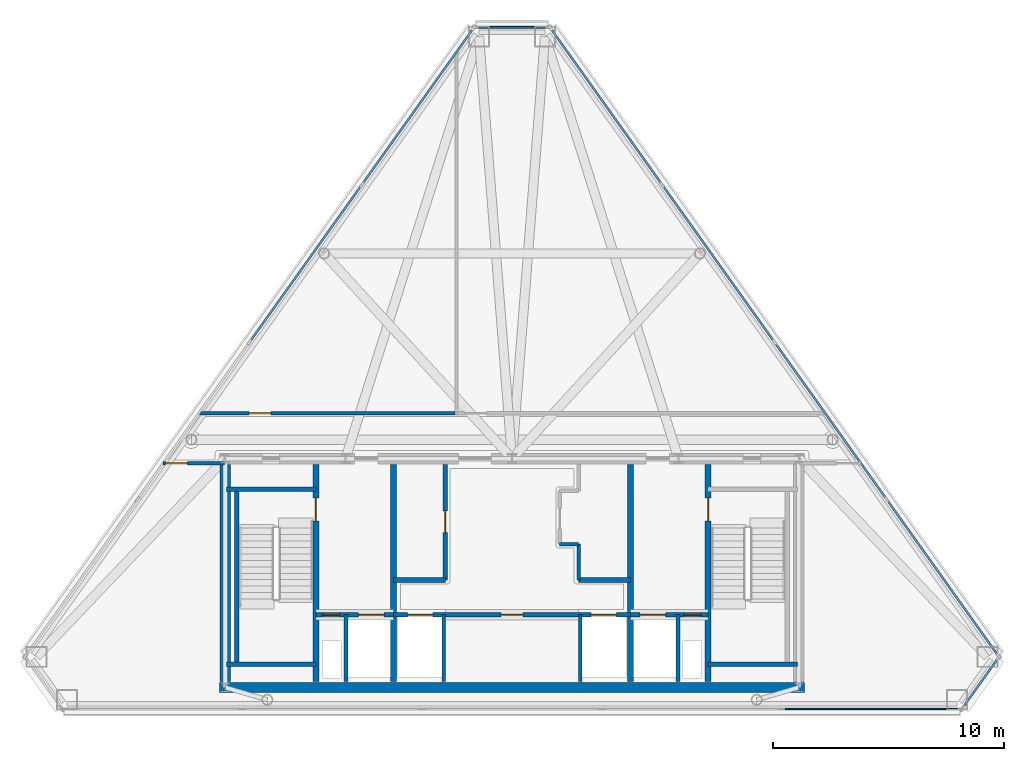
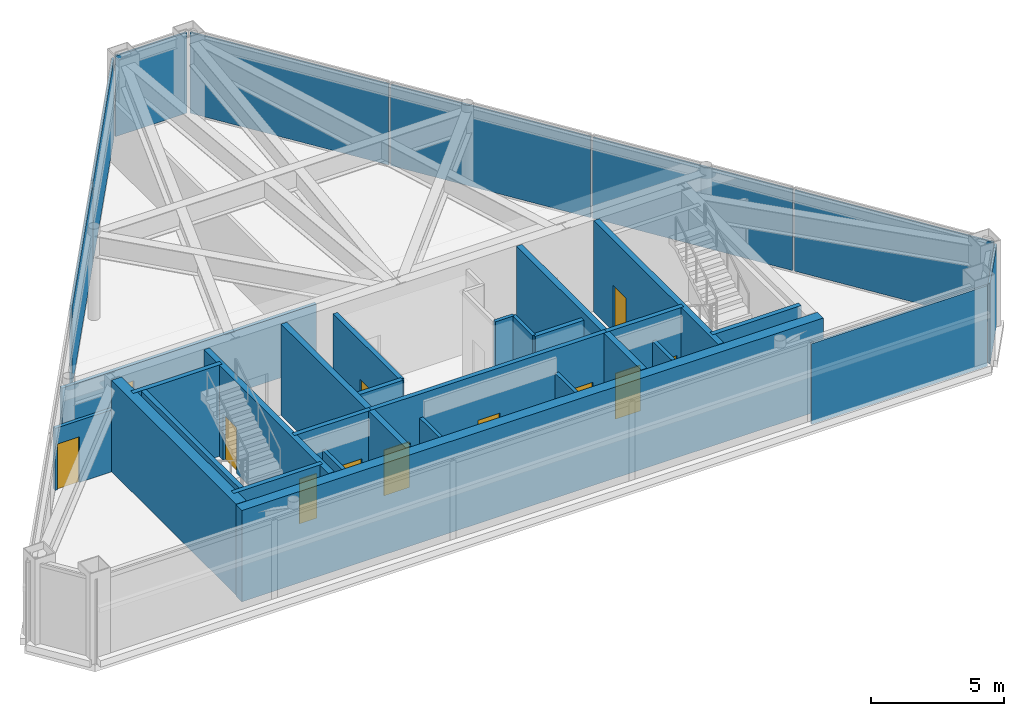
# One storey, part 3 of 5: 24 walls, 12 doors, 9 plates, 12 openings, 5 elements without a shape of their own.
"""IFC4 building model written with IfcOpenShell, lengths in metres."""

from ifc_helpers import new_model, si_unit, direction, frame, frame_2d, origin, origin_2d, place, context, subcontext, project, spatial, rectangle, extrude, source, transform, mapped, material, layer, layer_set, type_object, type_shapes, element, fill, aggregate, save


model = new_model("IFC4")

# Units and contexts
model_context = context("Model", 3, precision=1e-05, world=origin(), true_north=direction((0.0, 1.0)))
body_context = subcontext(model_context, "Body", "Model", "MODEL_VIEW")
ifc_project = project(units=[si_unit("LENGTHUNIT", "METRE"), si_unit("AREAUNIT", "SQUARE_METRE"), si_unit("VOLUMEUNIT", "CUBIC_METRE"), si_unit("PLANEANGLEUNIT", "RADIAN"), si_unit("MASSUNIT", "GRAM", prefix="KILO")], contexts=[model_context])

# Site, building, storey
site_placement = place(None, origin())
site = spatial("IfcSite", under=ifc_project, at=site_placement, CompositionType="ELEMENT")
building_placement = place(site_placement, origin())
building = spatial("IfcBuilding", under=site, at=building_placement, Name="Talgorran Terracotta Tower", CompositionType="ELEMENT")
storey_placement = place(building_placement, frame((0.0, 0.0, 297.60009765625)))
storey = spatial("IfcBuildingStorey", under=building, at=storey_placement, Name="L78", CompositionType="ELEMENT", Elevation=297.60009765625)

# Curtain wall, plate
ifc_material_1 = material(Name="Anodised Aluminium Louvre", Category="aluminium")
ifc_layer_1 = layer(ifc_material_1, 0.25, Name="CW_SYS4_LOUVRE")
ifc_layer_set_1 = layer_set([ifc_layer_1], Name="Anodised Aluminium Louvre")
curtain_wall_type = type_object("IfcCurtainWallType", Name="CW_SYS4_LOUVRE", PredefinedType="NOTDEFINED", material=ifc_layer_set_1)
curtain_wall_1_placement = place(storey_placement, origin())
curtain_wall_1 = element("IfcCurtainWall", 1, at=curtain_wall_1_placement, inside=storey, type_object=curtain_wall_type, Name="CW-L78-F2", PredefinedType="NOTDEFINED")
ifc_material_2 = material(Name="Anodised Aluminium Louvre Panel", Category="aluminium")
ifc_layer_2 = layer(ifc_material_2, 0.0849609375, Name="PLT_LOUVRE_BLADE")
ifc_layer_set_2 = layer_set([ifc_layer_2], Name="Anodised Aluminium Louvre Panel")
plate_type = type_object("IfcPlateType", Name="PLT_LOUVRE_BLADE", PredefinedType="CURTAIN_PANEL", material=ifc_layer_set_2)
shared_shape_1 = source(origin(), body_context, "Body", "SweptSolid", [
    extrude(rectangle(XDim=2.6005859375, YDim=0.0849609375, at=origin_2d()), origin(), (0.0, 0.0, 1.0), 3.7099609375),
])
plate_1_placement = place(storey_placement, frame((20.25341796875, -13.90234375, 0.0849609375), z_axis=(0.0, 0.0, 1.0), x_axis=(0.580760085543, 0.814074765018, 0.0)))
plate_1 = element("IfcPlate", 2, at=plate_1_placement, type_object=plate_type, Name="CW-L78-2 panel 1.1", PredefinedType="CURTAIN_PANEL", context=body_context, shape_type="MappedRepresentation", body=[
    mapped(shared_shape_1, transform((0.0, 0.0, 0.0), scale=1.0)),
])
aggregate(curtain_wall_1, [plate_1])

curtain_wall_2_placement = place(storey_placement, origin())
curtain_wall_2 = element("IfcCurtainWall", 3, at=curtain_wall_2_placement, inside=storey, type_object=curtain_wall_type, Name="CW-L78-F1", PredefinedType="NOTDEFINED")
shared_shape_2 = source(origin(), body_context, "Body", "SweptSolid", [
    extrude(rectangle(XDim=7.652099609375, YDim=0.0849609375, at=origin_2d()), origin(), (0.0, 0.0, 1.0), 3.7099609375),
])
plate_2_placement = place(storey_placement, frame((15.537841796875, -15.030029296875, 0.0849609375), z_axis=(0.0, 0.0, 1.0), x_axis=(1.0, 0.0, 0.0)))
plate_2 = element("IfcPlate", 4, at=plate_2_placement, type_object=plate_type, Name="CW-L78-1 panel 5.1", PredefinedType="CURTAIN_PANEL", context=body_context, shape_type="MappedRepresentation", body=[
    mapped(shared_shape_2, transform((0.0, 0.0, 0.0), scale=1.0)),
])
aggregate(curtain_wall_2, [plate_2])

# Curtain wall, plates
curtain_wall_3_placement = place(storey_placement, origin())
curtain_wall_3 = element("IfcCurtainWall", 5, at=curtain_wall_3_placement, inside=storey, type_object=curtain_wall_type, Name="CW-L78-F3", PredefinedType="NOTDEFINED")
shared_shape_3 = source(origin(), body_context, "Body", "SweptSolid", [
    extrude(rectangle(XDim=8.234375, YDim=0.0849609375, at=origin_2d()), origin(), (0.0, 0.0, 1.0), 3.7099609375),
])
plate_3_placement = place(storey_placement, frame((18.617431640625, -9.353759765625, 0.0849609375), z_axis=(0.0, 0.0, 1.0), x_axis=(-0.580758445224, 0.814075935218, 0.0)))
plate_3 = element("IfcPlate", 6, at=plate_3_placement, type_object=plate_type, Name="CW-L78-3 panel 1.1", PredefinedType="CURTAIN_PANEL", context=body_context, shape_type="MappedRepresentation", body=[
    mapped(shared_shape_3, transform((0.0, 0.0, 0.0), scale=1.0)),
])
plate_4_placement = place(storey_placement, frame((4.0732421875, 11.03369140625, 0.0849609375), z_axis=(0.0, 0.0, 1.0), x_axis=(-0.580758445224, 0.814075935218, 0.0)))
plate_4 = element("IfcPlate", 7, at=plate_4_placement, type_object=plate_type, Name="CW-L78-3 panel 4.1", PredefinedType="CURTAIN_PANEL", context=body_context, shape_type="MappedRepresentation", body=[
    mapped(shared_shape_3, transform((0.0, 0.0, 0.0), scale=1.0)),
])

# Curtain wall, plate
curtain_wall_4_placement = place(storey_placement, origin())
curtain_wall_4 = element("IfcCurtainWall", 8, at=curtain_wall_4_placement, inside=storey, type_object=curtain_wall_type, Name="CW-L78-F5", PredefinedType="NOTDEFINED")
plate_5_placement = place(storey_placement, frame((-4.0732421875, 11.03369140625, 0.0849609375), z_axis=(0.0, 0.0, 1.0), x_axis=(-0.580758445224, -0.814075935218, 0.0)))
plate_5 = element("IfcPlate", 9, at=plate_5_placement, type_object=plate_type, Name="CW-L78-5 panel 1.1", PredefinedType="CURTAIN_PANEL", context=body_context, shape_type="MappedRepresentation", body=[
    mapped(shared_shape_3, transform((0.0, 0.0, 0.0), scale=1.0)),
])

# Plate
shared_shape_4 = source(origin(), body_context, "Body", "SweptSolid", [
    extrude(rectangle(XDim=8.277099609375, YDim=0.0849609375, at=origin_2d()), origin(), (0.0, 0.0, 1.0), 3.7099609375),
])
plate_6_placement = place(storey_placement, frame((13.7734375, -2.563720703125, 0.0849609375), z_axis=(0.0, 0.0, 1.0), x_axis=(-0.580758445224, 0.814075935218, 0.0)))
plate_6 = element("IfcPlate", 10, at=plate_6_placement, type_object=plate_type, Name="CW-L78-3 panel 2.1", PredefinedType="CURTAIN_PANEL", context=body_context, shape_type="MappedRepresentation", body=[
    mapped(shared_shape_4, transform((0.0, 0.0, 0.0), scale=1.0)),
])

plate_7_placement = place(storey_placement, frame((8.917236328125, 4.24365234375, 0.0849609375), z_axis=(0.0, 0.0, 1.0), x_axis=(-0.580758445224, 0.814075935218, 0.0)))
plate_7 = element("IfcPlate", 11, at=plate_7_placement, type_object=plate_type, Name="CW-L78-3 panel 3.1", PredefinedType="CURTAIN_PANEL", context=body_context, shape_type="MappedRepresentation", body=[
    mapped(shared_shape_4, transform((0.0, 0.0, 0.0), scale=1.0)),
])

aggregate(curtain_wall_3, [plate_3, plate_6, plate_7, plate_4])

plate_8_placement = place(storey_placement, frame((-8.917236328125, 4.24365234375, 0.0849609375), z_axis=(0.0, 0.0, 1.0), x_axis=(-0.580758445224, -0.814075935218, 0.0)))
plate_8 = element("IfcPlate", 12, at=plate_8_placement, type_object=plate_type, Name="CW-L78-5 panel 2.1", PredefinedType="CURTAIN_PANEL", context=body_context, shape_type="MappedRepresentation", body=[
    mapped(shared_shape_4, transform((0.0, 0.0, 0.0), scale=1.0)),
])

aggregate(curtain_wall_4, [plate_5, plate_8])

# Curtain wall, plate
curtain_wall_5_placement = place(storey_placement, origin())
curtain_wall_5 = element("IfcCurtainWall", 13, at=curtain_wall_5_placement, inside=storey, type_object=curtain_wall_type, Name="CW-L78-F4", PredefinedType="NOTDEFINED")
shared_shape_5 = source(origin(), body_context, "Body", "SweptSolid", [
    extrude(rectangle(XDim=3.095703125, YDim=0.0849609375, at=origin_2d()), origin(), (0.0, 0.0, 1.0), 3.7099609375),
])
type_shapes(plate_type, [shared_shape_1, shared_shape_2, shared_shape_3, shared_shape_4, shared_shape_5])
plate_9_placement = place(storey_placement, frame((0.0, 14.45458984375, 0.0849609375), z_axis=(0.0, 0.0, 1.0), x_axis=(-1.0, 0.0, 0.0)))
plate_9 = element("IfcPlate", 14, at=plate_9_placement, type_object=plate_type, Name="CW-L78-4 panel 1.1", PredefinedType="CURTAIN_PANEL", context=body_context, shape_type="MappedRepresentation", body=[
    mapped(shared_shape_5, transform((0.0, 0.0, 0.0), scale=1.0)),
])
aggregate(curtain_wall_5, [plate_9])

# Walls
ifc_material_3 = material(Name="Concrete C50/60", Category="concrete")
ifc_layer_3 = layer(ifc_material_3, 0.199951171875, Name="WT_CORE_200")
ifc_layer_set_3 = layer_set([ifc_layer_3], Name="Concrete C50/60")
wall_type_1 = type_object("IfcWallType", Name="WT_CORE_200", PredefinedType="SOLIDWALL", material=ifc_layer_set_3)
for number, where, z_axis, x_axis, name in (
    (15, (-12.35009765625, -5.52001953125, 0.0), (0.0, 0.0, 1.0), (1.0, 0.0, 0.0), "WL-L78-CW-ST1-N"),
    (16, (-12.35009765625, -13.10009765625, 0.0), (0.0, 0.0, 1.0), (1.0, 0.0, 0.0), "WL-L78-CW-ST1-S"),
):
    element("IfcWall", number, at=place(storey_placement, frame(where, z_axis=z_axis, x_axis=x_axis)), inside=storey, type_object=wall_type_1, Name=name, PredefinedType="SOLIDWALL", context=body_context, shape_type="SweptSolid", body=[
        extrude(rectangle(XDim=3.8701171875, YDim=0.199951171875, at=frame_2d((1.93505859375, 0.0))), origin(), (0.0, 0.0, 1.0), 4.199951171875),
    ])
wall_1_placement = place(storey_placement, frame((-11.89990234375, -13.10009765625, 0.0), z_axis=(0.0, 0.0, 1.0), x_axis=(0.0, 1.0, 0.0)))
element("IfcWall", 17, at=wall_1_placement, inside=storey, type_object=wall_type_1, Name="WL-L78-CW-ST1-W", PredefinedType="SOLIDWALL", context=body_context, shape_type="SweptSolid", body=[
    extrude(rectangle(XDim=7.580078125, YDim=0.199951171875, at=frame_2d((3.7900390625, 0.0))), origin(), (0.0, 0.0, 1.0), 4.199951171875),
])
wall_2_placement = place(storey_placement, frame((8.47998046875, -13.10009765625, 0.0), z_axis=(0.0, 0.0, 1.0), x_axis=(1.0, 0.0, 0.0)))
element("IfcWall", 18, at=wall_2_placement, inside=storey, type_object=wall_type_1, Name="WL-L78-CW-ST2-S", PredefinedType="SOLIDWALL", context=body_context, shape_type="SweptSolid", body=[
    extrude(rectangle(XDim=3.8701171875, YDim=0.199951171875, at=frame_2d((1.93505859375, 0.0))), origin(), (0.0, 0.0, 1.0), 4.199951171875),
])

# Wall, openings, doors
wall_3_placement = place(storey_placement, frame((-8.47998046875, -10.949951171875, 0.0), z_axis=(0.0, 0.0, 1.0), x_axis=(1.0, 0.0, 0.0)))
wall_3 = element("IfcWall", 19, at=wall_3_placement, inside=storey, type_object=wall_type_1, Name="WL-L78-CW-H-SBW", PredefinedType="SOLIDWALL", context=body_context, shape_type="SweptSolid", body=[
    extrude(rectangle(XDim=3.35986328125, YDim=0.199951171875, at=frame_2d((1.679931640625, 0.0))), origin(), (0.0, 0.0, 1.0), 4.199951171875),
])
opening_1_placement = place(wall_3_placement, frame((0.280029296875, 0.0, 0.0)))
opening_1 = element("IfcOpeningElement", 20, at=opening_1_placement, cuts=wall_3, Name="Opening DR-RSW", PredefinedType="OPENING", context=body_context, shape_type="SweptSolid", body=[
    extrude(rectangle(XDim=0.756, YDim=2.054048828125, at=frame_2d((0.375, 1.027099609375))), frame((0.0, 0.10986328125, 0.0), z_axis=(0.0, -1.0, 0.0), x_axis=(1.0, 0.0, 0.0)), (0.0, 0.0, 1.0), 0.219970703125),
])
opening_2_placement = place(wall_3_placement, frame((1.85009765625, 0.0, 0.0)))
opening_2 = element("IfcOpeningElement", 21, at=opening_2_placement, cuts=wall_3, Name="Opening LD-FFL1", PredefinedType="OPENING", context=body_context, shape_type="SweptSolid", body=[
    extrude(rectangle(XDim=1.10609765625, YDim=2.10409765625, at=frame_2d((0.550048828125, 1.052001953125))), frame((0.0, 0.10986328125, 0.0), z_axis=(0.0, -1.0, 0.0), x_axis=(1.0, 0.0, 0.0)), (0.0, 0.0, 1.0), 0.219970703125),
])
ifc_material_4 = material(Name="Brushed Stainless Steel Grade 304", Category="steel")
door_type_1 = type_object("IfcDoorType", Name="DT_LIFT_LD1100", OperationType="DOUBLE_DOOR_SLIDING", PredefinedType="DOOR", material=ifc_material_4)
door_1_placement = place(opening_2_placement, origin())
door_1 = element("IfcDoor", 22, at=door_1_placement, inside=storey, type_object=door_type_1, Name="L78 Lift Landing Door LD-FFL1", OperationType="DOUBLE_DOOR_SLIDING", OverallHeight=2.10009765625, OverallWidth=1.10009765625, PredefinedType="DOOR", context=body_context, shape_type="SweptSolid", body=[
    extrude(rectangle(XDim=1.10009765625, YDim=2.10009765625, at=frame_2d((0.550048828125, 1.050048828125))), frame((0.0, 0.02490234375, 0.0), z_axis=(0.0, -1.0, 0.0), x_axis=(1.0, 0.0, 0.0)), (0.0, 0.0, 1.0), 0.050048828125),
])
fill(opening_2, door_1)
ifc_material_5 = material(Name="Fire-Rated Pressed Steel", Category="steel")
door_type_2 = type_object("IfcDoorType", Name="DT_RISER_750", OperationType="NOTDEFINED", PredefinedType="DOOR", material=ifc_material_5)
door_2_placement = place(opening_1_placement, origin())
door_2 = element("IfcDoor", 23, at=door_2_placement, inside=storey, type_object=door_type_2, Name="DR-RSW", OperationType="SINGLE_SWING_LEFT", OverallHeight=2.050048828125, OverallWidth=0.75, PredefinedType="DOOR", context=body_context, shape_type="SweptSolid", body=[
    extrude(rectangle(XDim=0.75, YDim=2.050048828125, at=frame_2d((0.375, 1.02490234375))), frame((0.0, 0.02490234375, 0.0), z_axis=(0.0, -1.0, 0.0), x_axis=(1.0, 0.0, 0.0)), (0.0, 0.0, 1.0), 0.050048828125),
])
fill(opening_1, door_2)

wall_4_placement = place(storey_placement, frame((-5.1201171875, -10.949951171875, 0.0), z_axis=(0.0, 0.0, 1.0), x_axis=(1.0, 0.0, 0.0)))
wall_4 = element("IfcWall", 24, at=wall_4_placement, inside=storey, type_object=wall_type_1, Name="WL-L78-CW-H-SBC", PredefinedType="SOLIDWALL", context=body_context, shape_type="SweptSolid", body=[
    extrude(rectangle(XDim=10.240234375, YDim=0.199951171875, at=frame_2d((5.1201171875, 0.0))), origin(), (0.0, 0.0, 1.0), 4.199951171875),
])
opening_3_placement = place(wall_4_placement, frame((0.60009765625, 0.0, 0.0)))
opening_3 = element("IfcOpeningElement", 25, at=opening_3_placement, cuts=wall_4, Name="Opening LD-OB1", PredefinedType="OPENING", context=body_context, shape_type="SweptSolid", body=[
    extrude(rectangle(XDim=1.10609765625, YDim=2.10409765625, at=frame_2d((0.550048828125, 1.052001953125))), frame((0.0, 0.10986328125, 0.0), z_axis=(0.0, -1.0, 0.0), x_axis=(1.0, 0.0, 0.0)), (0.0, 0.0, 1.0), 0.219970703125),
])
opening_4_placement = place(wall_4_placement, frame((4.64990234375, 0.0, 0.0)))
opening_4 = element("IfcOpeningElement", 26, at=opening_4_placement, cuts=wall_4, Name="Opening DR-FRPLH", PredefinedType="OPENING", context=body_context, shape_type="SweptSolid", body=[
    extrude(rectangle(XDim=0.955951171875, YDim=2.10409765625, at=frame_2d((0.47509765625, 1.052001953125))), frame((0.0, 0.10986328125, 0.0), z_axis=(0.0, -1.0, 0.0), x_axis=(1.0, 0.0, 0.0)), (0.0, 0.0, 1.0), 0.219970703125),
])
opening_5_placement = place(wall_4_placement, frame((8.5400390625, 0.0, 0.0)))
opening_5 = element("IfcOpeningElement", 27, at=opening_5_placement, cuts=wall_4, Name="Opening LD-SVL1", PredefinedType="OPENING", context=body_context, shape_type="SweptSolid", body=[
    extrude(rectangle(XDim=1.10609765625, YDim=2.10409765625, at=frame_2d((0.550048828125, 1.052001953125))), frame((0.0, 0.10986328125, 0.0), z_axis=(0.0, -1.0, 0.0), x_axis=(1.0, 0.0, 0.0)), (0.0, 0.0, 1.0), 0.219970703125),
])
ifc_material_6 = material(Name="Fire-Rated Timber Core", Category="wood")
door_type_3 = type_object("IfcDoorType", Name="DT_FIRE_950", OperationType="NOTDEFINED", PredefinedType="DOOR", material=ifc_material_6)
door_3_placement = place(opening_4_placement, origin())
door_3 = element("IfcDoor", 28, at=door_3_placement, inside=storey, type_object=door_type_3, Name="DR-FRPLH", OperationType="SINGLE_SWING_RIGHT", OverallHeight=2.10009765625, OverallWidth=0.949951171875, PredefinedType="DOOR", context=body_context, shape_type="SweptSolid", body=[
    extrude(rectangle(XDim=0.949951171875, YDim=2.10009765625, at=frame_2d((0.47509765625, 1.050048828125))), frame((0.0, 0.02490234375, 0.0), z_axis=(0.0, -1.0, 0.0), x_axis=(1.0, 0.0, 0.0)), (0.0, 0.0, 1.0), 0.050048828125),
])
fill(opening_4, door_3)
door_4_placement = place(opening_3_placement, origin())
door_4 = element("IfcDoor", 29, at=door_4_placement, inside=storey, type_object=door_type_1, Name="L78 Lift Landing Door LD-OB1", OperationType="DOUBLE_DOOR_SLIDING", OverallHeight=2.10009765625, OverallWidth=1.10009765625, PredefinedType="DOOR", context=body_context, shape_type="SweptSolid", body=[
    extrude(rectangle(XDim=1.10009765625, YDim=2.10009765625, at=frame_2d((0.550048828125, 1.050048828125))), frame((0.0, 0.02490234375, 0.0), z_axis=(0.0, -1.0, 0.0), x_axis=(1.0, 0.0, 0.0)), (0.0, 0.0, 1.0), 0.050048828125),
])
fill(opening_3, door_4)
door_5_placement = place(opening_5_placement, origin())
door_5 = element("IfcDoor", 30, at=door_5_placement, inside=storey, type_object=door_type_1, Name="L78 Lift Landing Door LD-SVL1", OperationType="DOUBLE_DOOR_SLIDING", OverallHeight=2.10009765625, OverallWidth=1.10009765625, PredefinedType="DOOR", context=body_context, shape_type="SweptSolid", body=[
    extrude(rectangle(XDim=1.10009765625, YDim=2.10009765625, at=frame_2d((0.550048828125, 1.050048828125))), frame((0.0, 0.02490234375, 0.0), z_axis=(0.0, -1.0, 0.0), x_axis=(1.0, 0.0, 0.0)), (0.0, 0.0, 1.0), 0.050048828125),
])
fill(opening_5, door_5)

wall_5_placement = place(storey_placement, frame((5.1201171875, -10.949951171875, 0.0), z_axis=(0.0, 0.0, 1.0), x_axis=(1.0, 0.0, 0.0)))
wall_5 = element("IfcWall", 31, at=wall_5_placement, inside=storey, type_object=wall_type_1, Name="WL-L78-CW-H-SBE", PredefinedType="SOLIDWALL", context=body_context, shape_type="SweptSolid", body=[
    extrude(rectangle(XDim=3.35986328125, YDim=0.199951171875, at=frame_2d((1.679931640625, 0.0))), origin(), (0.0, 0.0, 1.0), 4.199951171875),
])
opening_6_placement = place(wall_5_placement, frame((0.419921875, 0.0, 0.0)))
opening_6 = element("IfcOpeningElement", 32, at=opening_6_placement, cuts=wall_5, Name="Opening LD-FFL2", PredefinedType="OPENING", context=body_context, shape_type="SweptSolid", body=[
    extrude(rectangle(XDim=1.10609765625, YDim=2.10409765625, at=frame_2d((0.550048828125, 1.052001953125))), frame((0.0, 0.10986328125, 0.0), z_axis=(0.0, -1.0, 0.0), x_axis=(1.0, 0.0, 0.0)), (0.0, 0.0, 1.0), 0.219970703125),
])
opening_7_placement = place(wall_5_placement, frame((2.300048828125, 0.0, 0.0)))
opening_7 = element("IfcOpeningElement", 33, at=opening_7_placement, cuts=wall_5, Name="Opening DR-RSE", PredefinedType="OPENING", context=body_context, shape_type="SweptSolid", body=[
    extrude(rectangle(XDim=0.756, YDim=2.054048828125, at=frame_2d((0.375, 1.027099609375))), frame((0.0, 0.10986328125, 0.0), z_axis=(0.0, -1.0, 0.0), x_axis=(1.0, 0.0, 0.0)), (0.0, 0.0, 1.0), 0.219970703125),
])
door_6_placement = place(opening_6_placement, origin())
door_6 = element("IfcDoor", 34, at=door_6_placement, inside=storey, type_object=door_type_1, Name="L78 Lift Landing Door LD-FFL2", OperationType="DOUBLE_DOOR_SLIDING", OverallHeight=2.10009765625, OverallWidth=1.10009765625, PredefinedType="DOOR", context=body_context, shape_type="SweptSolid", body=[
    extrude(rectangle(XDim=1.10009765625, YDim=2.10009765625, at=frame_2d((0.550048828125, 1.050048828125))), frame((0.0, 0.02490234375, 0.0), z_axis=(0.0, -1.0, 0.0), x_axis=(1.0, 0.0, 0.0)), (0.0, 0.0, 1.0), 0.050048828125),
])
fill(opening_6, door_6)
door_7_placement = place(opening_7_placement, origin())
door_7 = element("IfcDoor", 35, at=door_7_placement, inside=storey, type_object=door_type_2, Name="DR-RSE", OperationType="SINGLE_SWING_RIGHT", OverallHeight=2.050048828125, OverallWidth=0.75, PredefinedType="DOOR", context=body_context, shape_type="SweptSolid", body=[
    extrude(rectangle(XDim=0.75, YDim=2.050048828125, at=frame_2d((0.375, 1.02490234375))), frame((0.0, 0.02490234375, 0.0), z_axis=(0.0, -1.0, 0.0), x_axis=(1.0, 0.0, 0.0)), (0.0, 0.0, 1.0), 0.050048828125),
])
fill(opening_7, door_7)

# Wall, opening, door
wall_6_placement = place(storey_placement, frame((-2.8798828125, -9.449951171875, 0.0), z_axis=(0.0, 0.0, 1.0), x_axis=(0.0, 1.0, 0.0)))
wall_6 = element("IfcWall", 36, at=wall_6_placement, inside=storey, type_object=wall_type_1, Name="WL-L78-CW-V-W3", PredefinedType="SOLIDWALL", context=body_context, shape_type="SweptSolid", body=[
    extrude(rectangle(XDim=5.0, YDim=0.199951171875, at=frame_2d((2.5, 0.0))), origin(), (0.0, 0.0, 1.0), 3.8798828125),
])
opening_8_placement = place(wall_6_placement, frame((2.050048828125, 0.0, 0.0)))
opening_8 = element("IfcOpeningElement", 37, at=opening_8_placement, cuts=wall_6, Name="Opening DR-FRPLL-A", PredefinedType="OPENING", context=body_context, shape_type="SweptSolid", body=[
    extrude(rectangle(XDim=0.925921875, YDim=2.10409765625, at=frame_2d((0.4599609375, 1.052001953125))), frame((0.0, 0.10986328125, 0.0), z_axis=(0.0, -1.0, 0.0), x_axis=(1.0, 0.0, 0.0)), (0.0, 0.0, 1.0), 0.219970703125),
])
ifc_material_7 = material(Name="Solid-Core Painted Timber", Category="wood")
door_type_4 = type_object("IfcDoorType", Name="DT_INT_920", OperationType="NOTDEFINED", PredefinedType="DOOR", material=ifc_material_7)
door_8_placement = place(opening_8_placement, origin())
door_8 = element("IfcDoor", 38, at=door_8_placement, inside=storey, type_object=door_type_4, Name="DR-FRPLL-A", OperationType="SINGLE_SWING_LEFT", OverallHeight=2.10009765625, OverallWidth=0.919921875, PredefinedType="DOOR", context=body_context, shape_type="SweptSolid", body=[
    extrude(rectangle(XDim=0.919921875, YDim=2.10009765625, at=frame_2d((0.4599609375, 1.050048828125))), frame((0.0, 0.02490234375, 0.0), z_axis=(0.0, -1.0, 0.0), x_axis=(1.0, 0.0, 0.0)), (0.0, 0.0, 1.0), 0.050048828125),
])
fill(opening_8, door_8)

# Walls
for number, where, z_axis, x_axis, name in (
    (39, (-5.1201171875, -9.449951171875, 0.0), (0.0, 0.0, 1.0), (1.0, 0.0, 0.0), "WL-L78-CW-H-W4"),
    (40, (2.8798828125, -9.449951171875, 0.0), (0.0, 0.0, 1.0), (1.0, 0.0, 0.0), "WL-L78-CW-H-E4"),
):
    element("IfcWall", number, at=place(storey_placement, frame(where, z_axis=z_axis, x_axis=x_axis)), inside=storey, type_object=wall_type_1, Name=name, PredefinedType="SOLIDWALL", context=body_context, shape_type="SweptSolid", body=[
        extrude(rectangle(XDim=2.240234375, YDim=0.199951171875, at=frame_2d((1.1201171875, 0.0))), origin(), (0.0, 0.0, 1.0), 3.8798828125),
    ])

# Wall, opening, door
ifc_layer_4 = layer(ifc_material_3, 0.25, Name="WT_CORE_250")
ifc_layer_set_4 = layer_set([ifc_layer_4], Name="Concrete C50/60")
wall_type_2 = type_object("IfcWallType", Name="WT_CORE_250", PredefinedType="SHEAR", material=ifc_layer_set_4)
wall_7_placement = place(storey_placement, frame((-8.47998046875, -13.85009765625, 0.0), z_axis=(0.0, 0.0, 1.0), x_axis=(0.0, 1.0, 0.0)))
wall_7 = element("IfcWall", 41, at=wall_7_placement, inside=storey, type_object=wall_type_2, Name="WL-L78-CW-V-W1", PredefinedType="SHEAR", context=body_context, shape_type="SweptSolid", body=[
    extrude(rectangle(XDim=9.400146484375, YDim=0.25, at=frame_2d((4.7001953125, 0.0))), origin(), (0.0, 0.0, 1.0), 4.199951171875),
])
opening_9_placement = place(wall_7_placement, frame((6.949951171875, 0.0, 0.0)))
opening_9 = element("IfcOpeningElement", 42, at=opening_9_placement, cuts=wall_7, Name="Opening DR-ST01", PredefinedType="OPENING", context=body_context, shape_type="SweptSolid", body=[
    extrude(rectangle(XDim=1.006, YDim=2.10409765625, at=frame_2d((0.5, 1.052001953125))), frame((0.0, 0.135009765625, 0.0), z_axis=(0.0, -1.0, 0.0), x_axis=(1.0, 0.0, 0.0)), (0.0, 0.0, 1.0), 0.27001953125),
])
door_type_5 = type_object("IfcDoorType", Name="DT_FIRE_1000", OperationType="NOTDEFINED", PredefinedType="DOOR", material=ifc_material_5)
door_9_placement = place(opening_9_placement, origin())
door_9 = element("IfcDoor", 43, at=door_9_placement, inside=storey, type_object=door_type_5, Name="DR-ST01", OperationType="SINGLE_SWING_LEFT", OverallHeight=2.10009765625, OverallWidth=1.0, PredefinedType="DOOR", context=body_context, shape_type="SweptSolid", body=[
    extrude(rectangle(XDim=1.0, YDim=2.10009765625, at=frame_2d((0.5, 1.050048828125))), frame((0.0, 0.02490234375, 0.0), z_axis=(0.0, -1.0, 0.0), x_axis=(1.0, 0.0, 0.0)), (0.0, 0.0, 1.0), 0.050048828125),
])
fill(opening_9, door_9)

wall_8_placement = place(storey_placement, frame((8.47998046875, -13.85009765625, 0.0), z_axis=(0.0, 0.0, 1.0), x_axis=(0.0, 1.0, 0.0)))
wall_8 = element("IfcWall", 44, at=wall_8_placement, inside=storey, type_object=wall_type_2, Name="WL-L78-CW-V-E1", PredefinedType="SHEAR", context=body_context, shape_type="SweptSolid", body=[
    extrude(rectangle(XDim=9.400146484375, YDim=0.25, at=frame_2d((4.7001953125, 0.0))), origin(), (0.0, 0.0, 1.0), 4.199951171875),
])
opening_10_placement = place(wall_8_placement, frame((6.949951171875, 0.0, 0.0)))
opening_10 = element("IfcOpeningElement", 45, at=opening_10_placement, cuts=wall_8, Name="Opening DR-ST02", PredefinedType="OPENING", context=body_context, shape_type="SweptSolid", body=[
    extrude(rectangle(XDim=1.006, YDim=2.10409765625, at=frame_2d((0.5, 1.052001953125))), frame((0.0, 0.135009765625, 0.0), z_axis=(0.0, -1.0, 0.0), x_axis=(1.0, 0.0, 0.0)), (0.0, 0.0, 1.0), 0.27001953125),
])
door_10_placement = place(opening_10_placement, origin())
door_10 = element("IfcDoor", 46, at=door_10_placement, inside=storey, type_object=door_type_5, Name="DR-ST02", OperationType="SINGLE_SWING_RIGHT", OverallHeight=2.10009765625, OverallWidth=1.0, PredefinedType="DOOR", context=body_context, shape_type="SweptSolid", body=[
    extrude(rectangle(XDim=1.0, YDim=2.10009765625, at=frame_2d((0.5, 1.050048828125))), frame((0.0, 0.02490234375, 0.0), z_axis=(0.0, -1.0, 0.0), x_axis=(1.0, 0.0, 0.0)), (0.0, 0.0, 1.0), 0.050048828125),
])
fill(opening_10, door_10)

# Walls
for number, where, z_axis, x_axis, name in (
    (47, (-5.1201171875, -13.85009765625, 0.0), (0.0, 0.0, 1.0), (0.0, 1.0, 0.0), "WL-L78-CW-V-W2"),
    (48, (5.1201171875, -13.85009765625, 0.0), (0.0, 0.0, 1.0), (0.0, 1.0, 0.0), "WL-L78-CW-V-E2"),
):
    element("IfcWall", number, at=place(storey_placement, frame(where, z_axis=z_axis, x_axis=x_axis)), inside=storey, type_object=wall_type_2, Name=name, PredefinedType="SHEAR", context=body_context, shape_type="SweptSolid", body=[
        extrude(rectangle(XDim=9.400146484375, YDim=0.25, at=frame_2d((4.7001953125, 0.0))), origin(), (0.0, 0.0, 1.0), 4.199951171875),
    ])
ifc_material_8 = material(Name="Concrete C65/80", Category="concrete")
ifc_layer_5 = layer(ifc_material_8, 0.449951171875, Name="WT_CORE_EXT")
ifc_layer_set_5 = layer_set([ifc_layer_5], Name="Concrete C65/80")
wall_type_3 = type_object("IfcWallType", Name="WT_CORE_EXT", PredefinedType="SHEAR", material=ifc_layer_set_5)
wall_9_placement = place(storey_placement, frame((-12.64990234375, -14.10009765625, 0.0), z_axis=(0.0, 0.0, 1.0), x_axis=(1.0, 0.0, 0.0)))
element("IfcWall", 49, at=wall_9_placement, inside=storey, type_object=wall_type_3, Name="WL-L78-CW-OUT-S", PredefinedType="SHEAR", context=body_context, shape_type="SweptSolid", body=[
    extrude(rectangle(XDim=25.2998046875, YDim=0.449951171875, at=frame_2d((12.64990234375, 0.0))), origin(), (0.0, 0.0, 1.0), 4.199951171875),
])
wall_10_placement = place(storey_placement, frame((-12.39990234375, -13.85009765625, 0.0), z_axis=(0.0, 0.0, 1.0), x_axis=(0.0, 1.0, 0.0)))
element("IfcWall", 50, at=wall_10_placement, inside=storey, type_object=wall_type_3, Name="WL-L78-CW-OUT-W", PredefinedType="SHEAR", context=body_context, shape_type="SweptSolid", body=[
    extrude(rectangle(XDim=9.400146484375, YDim=0.449951171875, at=frame_2d((4.7001953125, 0.0))), origin(), (0.0, 0.0, 1.0), 4.199951171875),
])
ifc_material_9 = material(Name="Fire-Rated Steel Stud Plasterboard", Category="steel")
ifc_layer_6 = layer(ifc_material_9, 0.14990234375, Name="WT_FIRE_150")
ifc_layer_set_6 = layer_set([ifc_layer_6], Name="Fire-Rated Steel Stud Plasterboard")
wall_type_4 = type_object("IfcWallType", Name="WT_FIRE_150", PredefinedType="PARTITIONING", material=ifc_layer_set_6)
wall_11_placement = place(storey_placement, frame((2.8798828125, -9.449951171875, 0.0), z_axis=(0.0, 0.0, 1.0), x_axis=(0.0, 1.0, 0.0)))
element("IfcWall", 51, at=wall_11_placement, inside=storey, type_object=wall_type_4, Name="WL-L78-CW-V-E3A", PredefinedType="PARTITIONING", context=body_context, shape_type="SweptSolid", body=[
    extrude(rectangle(XDim=1.550048828125, YDim=0.14990234375, at=frame_2d((0.77490234375, 0.0))), origin(), (0.0, 0.0, 1.0), 3.8798828125),
])
wall_12_placement = place(storey_placement, frame((2.06005859375, -7.89990234375, 0.0), z_axis=(0.0, 0.0, 1.0), x_axis=(1.0, 0.0, 0.0)))
element("IfcWall", 52, at=wall_12_placement, inside=storey, type_object=wall_type_4, Name="WL-L78-CW-H-E3B", PredefinedType="PARTITIONING", context=body_context, shape_type="SweptSolid", body=[
    extrude(rectangle(XDim=0.81982421875, YDim=0.14990234375, at=frame_2d((0.409912109375, 0.0))), origin(), (0.0, 0.0, 1.0), 3.8798828125),
])

# Wall, opening, door
wall_13_placement = place(storey_placement, frame((-13.542724609375, -2.239990234375, 0.0), z_axis=(0.0, 0.0, 1.0), x_axis=(1.0, 0.0, 0.0)))
wall_13 = element("IfcWall", 53, at=wall_13_placement, inside=storey, type_object=wall_type_4, Name="WL-L78-W-L78-R03", PredefinedType="PARTITIONING", context=body_context, shape_type="SweptSolid", body=[
    extrude(rectangle(XDim=11.080810546875, YDim=0.14990234375, at=frame_2d((5.54052734375, 0.0))), origin(), (0.0, 0.0, 1.0), 2.85498046875),
])
opening_11_placement = place(wall_13_placement, frame((2.178466796875, 0.0, 0.0)))
opening_11 = element("IfcOpeningElement", 54, at=opening_11_placement, cuts=wall_13, Name="Opening DR-L78-R03", PredefinedType="OPENING", context=body_context, shape_type="SweptSolid", body=[
    extrude(rectangle(XDim=0.955951171875, YDim=2.10409765625, at=frame_2d((0.47509765625, 1.052001953125))), frame((0.0, 0.0849609375, 0.0), z_axis=(0.0, -1.0, 0.0), x_axis=(1.0, 0.0, 0.0)), (0.0, 0.0, 1.0), 0.169921875),
])
door_11_placement = place(opening_11_placement, origin())
door_11 = element("IfcDoor", 55, at=door_11_placement, inside=storey, type_object=door_type_3, Name="DR-L78-R03", OperationType="SINGLE_SWING_LEFT", OverallHeight=2.10009765625, OverallWidth=0.949951171875, PredefinedType="DOOR", context=body_context, shape_type="SweptSolid", body=[
    extrude(rectangle(XDim=0.949951171875, YDim=2.10009765625, at=frame_2d((0.47509765625, 1.050048828125))), frame((0.0, 0.02490234375, 0.0), z_axis=(0.0, -1.0, 0.0), x_axis=(1.0, 0.0, 0.0)), (0.0, 0.0, 1.0), 0.050048828125),
])
fill(opening_11, door_11)

wall_14_placement = place(storey_placement, frame((-15.08349609375, -4.39990234375, 0.0), z_axis=(0.0, 0.0, 1.0), x_axis=(1.0, 0.0, 0.0)))
wall_14 = element("IfcWall", 56, at=wall_14_placement, inside=storey, type_object=wall_type_4, Name="WL-L78-W-L78-R01", PredefinedType="PARTITIONING", context=body_context, shape_type="SweptSolid", body=[
    extrude(rectangle(XDim=2.6435546875, YDim=0.14990234375, at=frame_2d((1.32177734375, 0.0))), origin(), (0.0, 0.0, 1.0), 2.85498046875),
])
opening_12_placement = place(wall_14_placement, frame((0.10009765625, 0.0, 0.0)))
opening_12 = element("IfcOpeningElement", 57, at=opening_12_placement, cuts=wall_14, Name="Opening DR-L78-R01", PredefinedType="OPENING", context=body_context, shape_type="SweptSolid", body=[
    extrude(rectangle(XDim=0.955951171875, YDim=2.10409765625, at=frame_2d((0.47509765625, 1.052001953125))), frame((0.0, 0.0849609375, 0.0), z_axis=(0.0, -1.0, 0.0), x_axis=(1.0, 0.0, 0.0)), (0.0, 0.0, 1.0), 0.169921875),
])
door_12_placement = place(opening_12_placement, origin())
door_12 = element("IfcDoor", 58, at=door_12_placement, inside=storey, type_object=door_type_3, Name="DR-L78-R01", OperationType="SINGLE_SWING_LEFT", OverallHeight=2.10009765625, OverallWidth=0.949951171875, PredefinedType="DOOR", context=body_context, shape_type="SweptSolid", body=[
    extrude(rectangle(XDim=0.949951171875, YDim=2.10009765625, at=frame_2d((0.47509765625, 1.050048828125))), frame((0.0, 0.02490234375, 0.0), z_axis=(0.0, -1.0, 0.0), x_axis=(1.0, 0.0, 0.0)), (0.0, 0.0, 1.0), 0.050048828125),
])
fill(opening_12, door_12)

# Walls
ifc_material_10 = material(Name="Fire-Rated Shaftwall")
ifc_layer_7 = layer(ifc_material_10, 0.159912109375, Name="WT_PART_150")
ifc_layer_set_7 = layer_set([ifc_layer_7], Name="Fire-Rated Shaftwall")
wall_type_5 = type_object("IfcWallType", Name="WT_PART_150", PredefinedType="PARTITIONING", material=ifc_layer_set_7)
for number, where, z_axis, x_axis, name in (
    (59, (-7.179931640625, -13.85009765625, 0.0), (0.0, 0.0, 1.0), (0.0, 1.0, 0.0), "WL-L78-CW-RSW"),
    (60, (7.179931640625, -13.85009765625, 0.0), (0.0, 0.0, 1.0), (0.0, 1.0, 0.0), "WL-L78-CW-RSE"),
    (61, (-2.949951171875, -13.85009765625, 0.0), (0.0, 0.0, 1.0), (0.0, 1.0, 0.0), "WL-L78-CW-OB-E"),
    (62, (2.949951171875, -13.85009765625, 0.0), (0.0, 0.0, 1.0), (0.0, 1.0, 0.0), "WL-L78-CW-SV-W"),
):
    element("IfcWall", number, at=place(storey_placement, frame(where, z_axis=z_axis, x_axis=x_axis)), inside=storey, type_object=wall_type_5, Name=name, PredefinedType="PARTITIONING", context=body_context, shape_type="SweptSolid", body=[
        extrude(rectangle(XDim=2.900146484375, YDim=0.159912109375, at=frame_2d((1.4501953125, 0.0))), origin(), (0.0, 0.0, 1.0), 3.10498046875),
    ])

save(model, "model.ifc")
